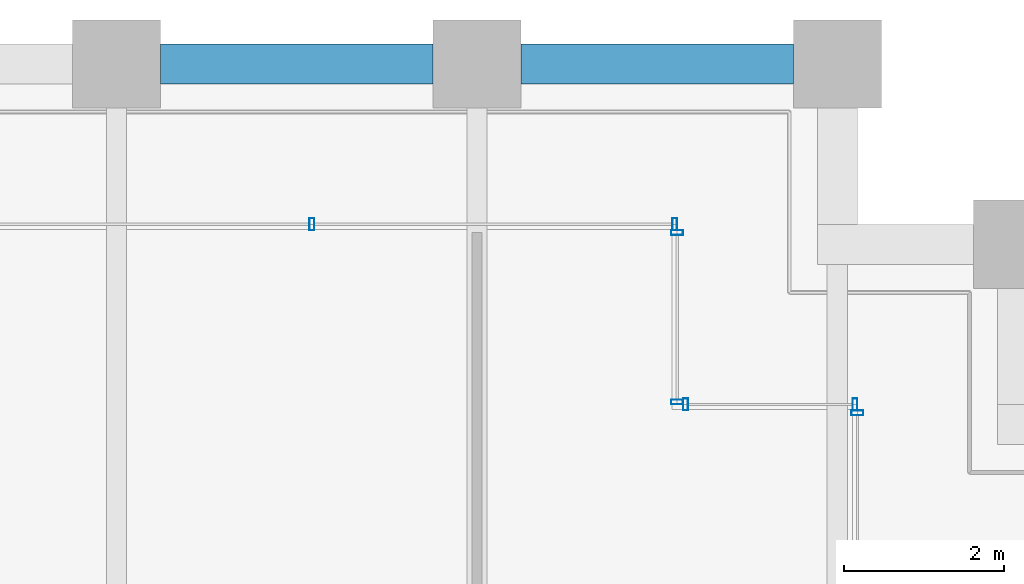
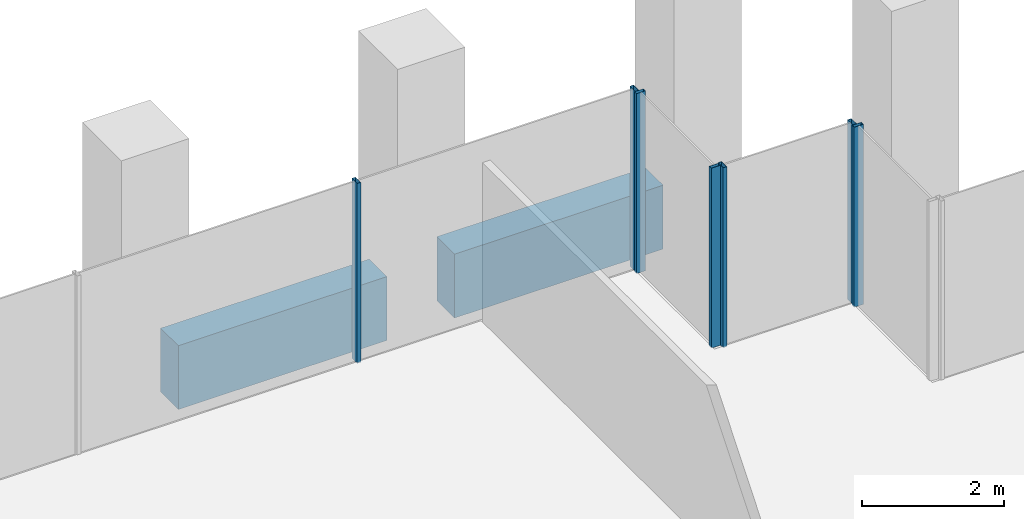
# One storey, part 32 of 54: 7 members, 2 beams, 4 elements without a shape of their own.
"""IFC4 building model written with IfcOpenShell, lengths in metres."""

from ifc_helpers import new_model, si_unit, direction, frame, origin, origin_2d, place, context, subcontext, project, spatial, rectangle, hollow_rectangle, extrude, material, material_profile, profile_set, type_object, element, aggregate, save


model = new_model("IFC4")

# Units and contexts
model_context = context("Model", 3, precision=1e-05, world=origin(), true_north=direction((0.0, 1.0)))
body_context = subcontext(model_context, "Body", "Model", "MODEL_VIEW")
ifc_project = project(units=[si_unit("LENGTHUNIT", "METRE"), si_unit("AREAUNIT", "SQUARE_METRE"), si_unit("VOLUMEUNIT", "CUBIC_METRE"), si_unit("PLANEANGLEUNIT", "RADIAN"), si_unit("MASSUNIT", "GRAM", prefix="KILO")], contexts=[model_context])

# Site, building, storey
site_placement = place(None, origin())
site = spatial("IfcSite", under=ifc_project, at=site_placement, CompositionType="ELEMENT")
building_placement = place(site_placement, origin())
building = spatial("IfcBuilding", under=site, at=building_placement, Name="Altepetl Exchange Towers", CompositionType="ELEMENT")
storey_placement = place(building_placement, frame((0.0, 0.0, 61.800048828125)))
storey = spatial("IfcBuildingStorey", under=building, at=storey_placement, Name="L14", CompositionType="ELEMENT", Elevation=61.800048828125)

# Curtain wall, member
ifc_material_1 = material(Name="Aluminium 6063-T6 glazing", Category="aluminium")
curtain_wall_type = type_object("IfcCurtainWallType", Name="Loggia glazing system", PredefinedType="NOTDEFINED", material=ifc_material_1)
curtain_wall_1_placement = place(storey_placement, origin())
curtain_wall_1 = element("IfcCurtainWall", 1, at=curtain_wall_1_placement, inside=storey, type_object=curtain_wall_type, Name="CW1 run", PredefinedType="NOTDEFINED")
ifc_material_2 = material(Name="Aluminium 6063-T6", Category="aluminium")
ifc_material_profile_1 = material_profile(ifc_material_2, hollow_rectangle(XDim=0.06005859375, YDim=0.14990234375, WallThickness=0.0029296875, at=origin_2d()), Name="Mullion 60x150 aluminium")
ifc_profile_set_1 = profile_set([ifc_material_profile_1], Name="Aluminium 6063-T6")
member_type = type_object("IfcMemberType", Name="Mullion 60x150 aluminium", PredefinedType="MULLION", material=ifc_profile_set_1)
member_1_placement = place(storey_placement, frame((67.75, 67.64501953125, 0.0), z_axis=(0.0, 0.0, 1.0), x_axis=(0.0, 1.0, 0.0)))
member_1 = element("IfcMember", 2, at=member_1_placement, type_object=member_type, Name="MU1 mullion", PredefinedType="MULLION", context=body_context, shape_type="SweptSolid", body=[
    extrude(hollow_rectangle(XDim=0.06005859375, YDim=0.14990234375, WallThickness=0.0029296875, at=origin_2d()), origin(), (0.0, 0.0, 1.0), 3.099853515625),
])
aggregate(curtain_wall_1, [member_1])

# Curtain wall, members
curtain_wall_2_placement = place(storey_placement, origin())
curtain_wall_2 = element("IfcCurtainWall", 3, at=curtain_wall_2_placement, inside=storey, type_object=curtain_wall_type, Name="CW1 run", PredefinedType="NOTDEFINED")
member_2_placement = place(storey_placement, frame((67.719970703125, 67.75, 0.0), z_axis=(0.0, 0.0, 1.0), x_axis=(-1.0, 0.0, 0.0)))
member_2 = element("IfcMember", 4, at=member_2_placement, type_object=member_type, Name="MU1 mullion", PredefinedType="MULLION", context=body_context, shape_type="SweptSolid", body=[
    extrude(hollow_rectangle(XDim=0.06005859375, YDim=0.14990234375, WallThickness=0.0029296875, at=origin_2d()), origin(), (0.0, 0.0, 1.0), 3.099853515625),
])
member_3_placement = place(storey_placement, frame((65.60498046875, 67.75, 0.0), z_axis=(0.0, 0.0, 1.0), x_axis=(-1.0, 0.0, 0.0)))
member_3 = element("IfcMember", 5, at=member_3_placement, type_object=member_type, Name="MU1 mullion", PredefinedType="MULLION", context=body_context, shape_type="SweptSolid", body=[
    extrude(hollow_rectangle(XDim=0.06005859375, YDim=0.14990234375, WallThickness=0.0029296875, at=origin_2d()), origin(), (0.0, 0.0, 1.0), 3.099853515625),
])
aggregate(curtain_wall_2, [member_2, member_3])

curtain_wall_3_placement = place(storey_placement, origin())
curtain_wall_3 = element("IfcCurtainWall", 6, at=curtain_wall_3_placement, inside=storey, type_object=curtain_wall_type, Name="CW1 run", PredefinedType="NOTDEFINED")
member_4_placement = place(storey_placement, frame((65.5, 67.780029296875, 0.0), z_axis=(0.0, 0.0, 1.0), x_axis=(0.0, 1.0, 0.0)))
member_4 = element("IfcMember", 7, at=member_4_placement, type_object=member_type, Name="MU1 mullion", PredefinedType="MULLION", context=body_context, shape_type="SweptSolid", body=[
    extrude(hollow_rectangle(XDim=0.06005859375, YDim=0.14990234375, WallThickness=0.0029296875, at=origin_2d()), origin(), (0.0, 0.0, 1.0), 3.099853515625),
])
member_5_placement = place(storey_placement, frame((65.5, 69.89501953125, 0.0), z_axis=(0.0, 0.0, 1.0), x_axis=(0.0, 1.0, 0.0)))
member_5 = element("IfcMember", 8, at=member_5_placement, type_object=member_type, Name="MU1 mullion", PredefinedType="MULLION", context=body_context, shape_type="SweptSolid", body=[
    extrude(hollow_rectangle(XDim=0.06005859375, YDim=0.14990234375, WallThickness=0.0029296875, at=origin_2d()), origin(), (0.0, 0.0, 1.0), 3.099853515625),
])
aggregate(curtain_wall_3, [member_4, member_5])

curtain_wall_4_placement = place(storey_placement, origin())
curtain_wall_4 = element("IfcCurtainWall", 9, at=curtain_wall_4_placement, inside=storey, type_object=curtain_wall_type, Name="CW1 run", PredefinedType="NOTDEFINED")
member_6_placement = place(storey_placement, frame((65.469970703125, 70.0, 0.0), z_axis=(0.0, 0.0, 1.0), x_axis=(-1.0, 0.0, 0.0)))
member_6 = element("IfcMember", 10, at=member_6_placement, type_object=member_type, Name="MU1 mullion", PredefinedType="MULLION", context=body_context, shape_type="SweptSolid", body=[
    extrude(hollow_rectangle(XDim=0.06005859375, YDim=0.14990234375, WallThickness=0.0029296875, at=origin_2d()), origin(), (0.0, 0.0, 1.0), 3.099853515625),
])
member_7_placement = place(storey_placement, frame((60.939208984375, 70.0, 0.0), z_axis=(0.0, 0.0, 1.0), x_axis=(-1.0, 0.0, 0.0)))
member_7 = element("IfcMember", 11, at=member_7_placement, type_object=member_type, Name="MU1 mullion", PredefinedType="MULLION", context=body_context, shape_type="SweptSolid", body=[
    extrude(hollow_rectangle(XDim=0.06005859375, YDim=0.14990234375, WallThickness=0.0029296875, at=origin_2d()), origin(), (0.0, 0.0, 1.0), 3.099853515625),
])
aggregate(curtain_wall_4, [member_6, member_7])

# Beams
ifc_material_3 = material(Name="Concrete C50/60 precast with cantera rosa facing", Category="concrete")
ifc_material_profile_2 = material_profile(ifc_material_3, rectangle(XDim=0.5, YDim=1.10009765625, at=origin_2d()), Name="500 x 1100")
ifc_profile_set_2 = profile_set([ifc_material_profile_2], Name="Concrete C50/60 precast with cantera rosa facing")
beam_type = type_object("IfcBeamType", Name="Spandrel beam 500x1100 cantera rosa", PredefinedType="SPANDREL", material=ifc_profile_set_2)
for number, where, z_axis, x_axis, name in (
    (12, (66.949951171875, 72.0, -0.699951171875), (-1.0, 0.0, 0.0), (0.0, -1.0, 0.0), "sp:A:L14:024"),
    (13, (62.449951171875, 72.0, -0.699951171875), (-1.0, 0.0, 0.0), (0.0, -1.0, 0.0), "sp:A:L14:025"),
):
    element("IfcBeam", number, at=place(storey_placement, frame(where, z_axis=z_axis, x_axis=x_axis)), inside=storey, type_object=beam_type, Name=name, PredefinedType="SPANDREL", context=body_context, shape_type="SweptSolid", body=[
        extrude(rectangle(XDim=0.5, YDim=1.10009765625, at=origin_2d()), origin(), (0.0, 0.0, 1.0), 3.39990234375),
    ])

save(model, "model.ifc")
